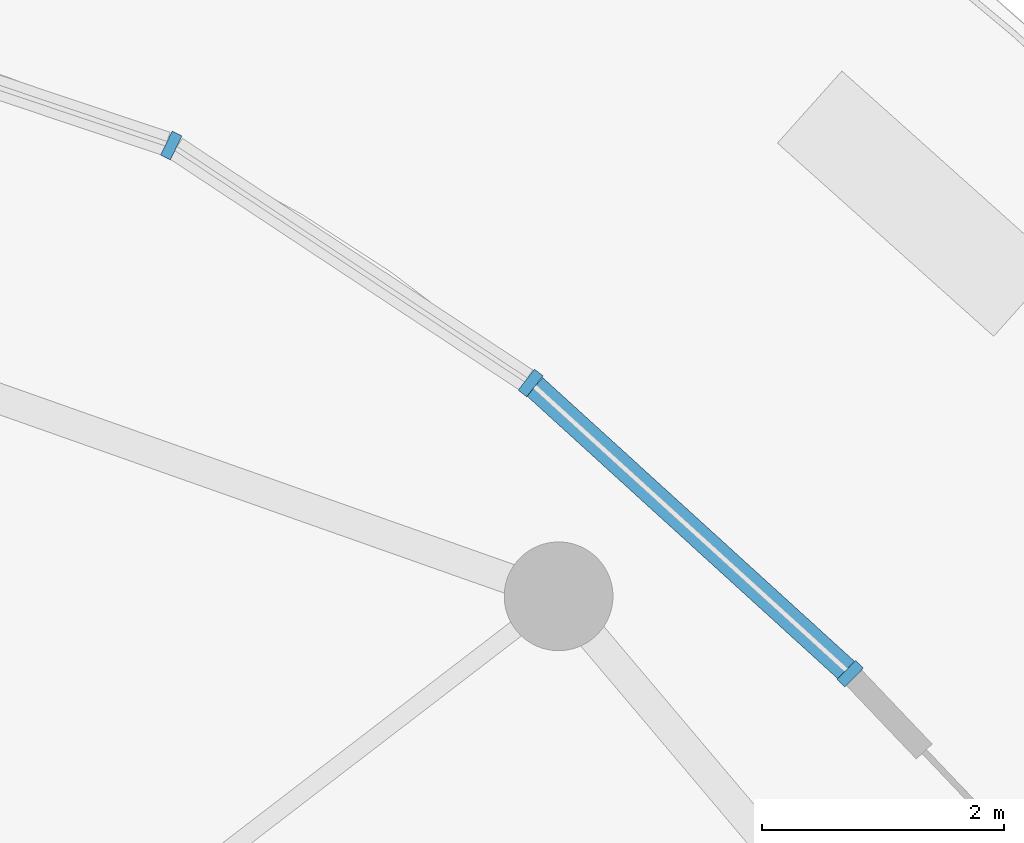
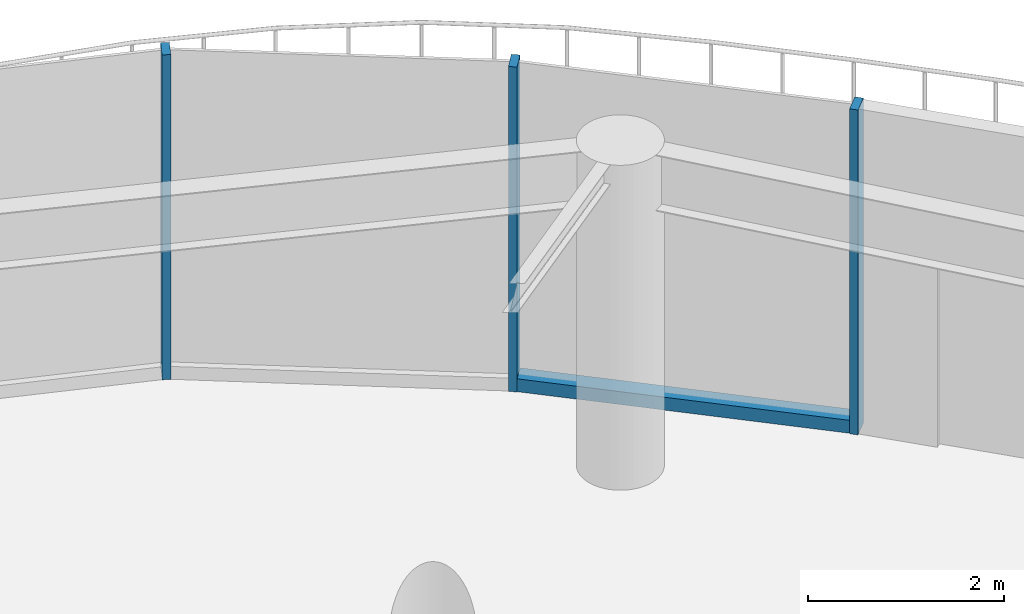
# One storey, part 10 of 24: 4 members, 1 element without a shape of its own.
"""IFC4 building model written with IfcOpenShell, lengths in metres."""

from ifc_helpers import new_model, si_unit, direction, frame, origin, origin_2d, place, context, subcontext, project, spatial, rectangle, extrude, source, transform, mapped, material, layer, layer_set, material_profile, profile_set, type_object, element, aggregate, save


model = new_model("IFC4")

# Units and contexts
model_context = context("Model", 3, precision=1e-05, world=origin(), true_north=direction((0.0, 1.0)))
body_context = subcontext(model_context, "Body", "Model", "MODEL_VIEW")
ifc_project = project(units=[si_unit("LENGTHUNIT", "METRE"), si_unit("AREAUNIT", "SQUARE_METRE"), si_unit("VOLUMEUNIT", "CUBIC_METRE"), si_unit("PLANEANGLEUNIT", "RADIAN"), si_unit("MASSUNIT", "GRAM", prefix="KILO")], contexts=[model_context])

# Site, building, storey
site_placement = place(None, origin())
site = spatial("IfcSite", under=ifc_project, at=site_placement, CompositionType="ELEMENT")
building_placement = place(site_placement, origin())
building = spatial("IfcBuilding", under=site, at=building_placement, Name="Spindrift Exchange Tower", CompositionType="ELEMENT")
storey_placement = place(building_placement, frame((0.0, 0.0, 5.0)))
storey = spatial("IfcBuildingStorey", under=building, at=storey_placement, Name="L01", CompositionType="ELEMENT", Elevation=5.0)

# Curtain wall, members
ifc_material_1 = material(Name="Fritted laminated glass with bronze frame", Category="glass")
ifc_layer = layer(ifc_material_1, 0.219970703125)
ifc_layer_set = layer_set([ifc_layer], Name="PODIUM BRONZE GLAZED WALL")
curtain_wall_type = type_object("IfcCurtainWallType", Name="PODIUM BRONZE GLAZED WALL", PredefinedType="NOTDEFINED", material=ifc_layer_set)
curtain_wall_placement = place(storey_placement, origin())
curtain_wall = element("IfcCurtainWall", 1, at=curtain_wall_placement, inside=storey, type_object=curtain_wall_type, Name="L01 Podium Bronze Glazed Wall run 2", PredefinedType="NOTDEFINED")
ifc_material_2 = material(Name="Bronze anodised aluminium", Category="aluminium")
ifc_material_profile_1 = material_profile(ifc_material_2, rectangle(XDim=0.090087890625, YDim=0.219970703125, at=origin_2d()), Name="PODIUM BRONZE GLAZED WALL MULLION 90X220")
ifc_profile_set_1 = profile_set([ifc_material_profile_1], Name="Bronze anodised aluminium")
member_type_1 = type_object("IfcMemberType", Name="PODIUM BRONZE GLAZED WALL MULLION 90X220", PredefinedType="MULLION", material=ifc_profile_set_1)
shared_shape_1 = source(origin(), body_context, "Body", "SweptSolid", [
    extrude(rectangle(XDim=0.090087890625, YDim=0.219970703125, at=origin_2d()), origin(), (0.0, 0.0, 1.0), 4.050048828125),
])
member_1_placement = place(storey_placement, frame((92.511962890625, 76.592529296875, 0.0), z_axis=(0.0, 0.0, 1.0), x_axis=(-0.714910637683, 0.699215832292, 0.0)))
member_1 = element("IfcMember", 2, at=member_1_placement, type_object=member_type_1, Name="L01 mullion CW-P.10", PredefinedType="MULLION", context=body_context, shape_type="MappedRepresentation", body=[
    mapped(shared_shape_1, transform((0.0, 0.0, 0.0), scale=1.0)),
])
member_2_placement = place(storey_placement, frame((89.8662109375, 78.999267578125, 0.0), z_axis=(0.0, 0.0, 1.0), x_axis=(-0.7893326138, 0.613965817282, 0.0)))
member_2 = element("IfcMember", 3, at=member_2_placement, type_object=member_type_1, Name="L01 mullion CW-P.11", PredefinedType="MULLION", context=body_context, shape_type="MappedRepresentation", body=[
    mapped(shared_shape_1, transform((0.0, 0.0, 0.0), scale=1.0)),
])
member_3_placement = place(storey_placement, frame((86.89208984375, 80.96484375, 0.0), z_axis=(0.0, 0.0, 1.0), x_axis=(-0.898738305686, 0.438485413546, 0.0)))
member_3 = element("IfcMember", 4, at=member_3_placement, type_object=member_type_1, Name="L01 mullion CW-P.12", PredefinedType="MULLION", context=body_context, shape_type="MappedRepresentation", body=[
    mapped(shared_shape_1, transform((0.0, 0.0, 0.0), scale=1.0)),
])
ifc_material_profile_2 = material_profile(ifc_material_2, rectangle(XDim=0.199951171875, YDim=0.159912109375, at=origin_2d()), Name="PODIUM BRONZE GLAZED WALL TRANSOM 200X160")
ifc_profile_set_2 = profile_set([ifc_material_profile_2], Name="Bronze anodised aluminium")
member_type_2 = type_object("IfcMemberType", Name="PODIUM BRONZE GLAZED WALL TRANSOM 200X160", PredefinedType="USERDEFINED", material=ifc_profile_set_2)
shared_shape_2 = source(origin(), body_context, "Body", "SweptSolid", [
    extrude(rectangle(XDim=0.199951171875, YDim=0.159912109375, at=origin_2d()), origin(), (0.0, 0.0, 1.0), 3.48681640625),
])
member_4_placement = place(storey_placement, frame((92.478759765625, 76.622802734375, 0.080078125), z_axis=(-0.739749947219, 0.672881873429, 0.0), x_axis=(-0.672881873429, -0.739749947219, 0.0)))
member_4 = element("IfcMember", 5, at=member_4_placement, type_object=member_type_2, Name="L01 transom CW-P.10", ObjectType="TRANSOM", PredefinedType="USERDEFINED", context=body_context, shape_type="MappedRepresentation", body=[
    mapped(shared_shape_2, transform((0.0, 0.0, 0.0), scale=1.0)),
])
aggregate(curtain_wall, [member_1, member_4, member_2, member_3])

save(model, "model.ifc")
